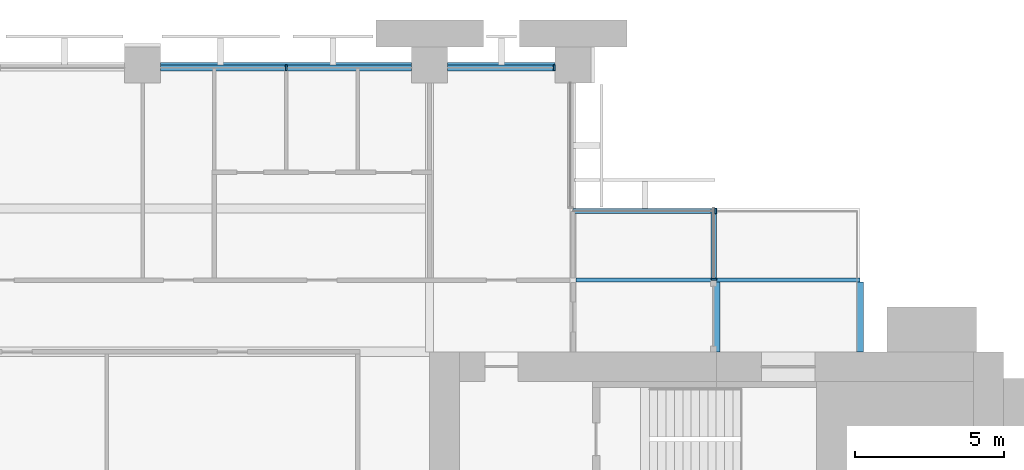
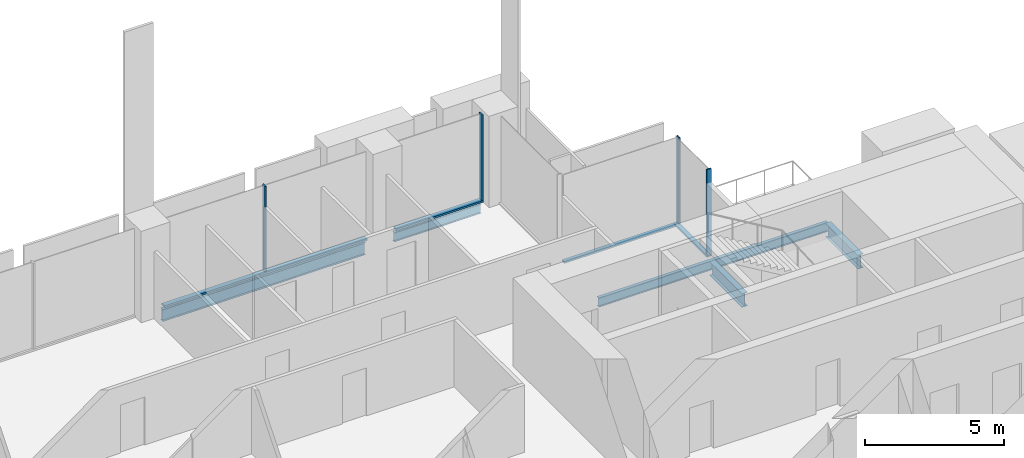
# One storey, part 7 of 14: 8 members, 5 beams, 3 elements without a shape of their own.
"""IFC4 building model written with IfcOpenShell, lengths in metres."""

from ifc_helpers import new_model, si_unit, direction, frame, origin, origin_2d, place, context, subcontext, project, spatial, rectangle, i_section, extrude, material, material_profile, profile_set, type_object, element, aggregate, save


model = new_model("IFC4")

# Units and contexts
model_context = context("Model", 3, precision=1e-05, world=origin(), true_north=direction((0.0, 1.0)))
body_context = subcontext(model_context, "Body", "Model", "MODEL_VIEW")
ifc_project = project(units=[si_unit("LENGTHUNIT", "METRE"), si_unit("AREAUNIT", "SQUARE_METRE"), si_unit("VOLUMEUNIT", "CUBIC_METRE"), si_unit("PLANEANGLEUNIT", "RADIAN"), si_unit("MASSUNIT", "GRAM", prefix="KILO")], contexts=[model_context])

# Site, building, storey
site_placement = place(None, origin())
site = spatial("IfcSite", under=ifc_project, at=site_placement, CompositionType="ELEMENT")
building_placement = place(site_placement, origin())
building = spatial("IfcBuilding", under=site, at=building_placement, Name="Baori Bourse Tower", CompositionType="ELEMENT")
storey_placement = place(building_placement, frame((0.0, 0.0, 144.10009765625)))
storey = spatial("IfcBuildingStorey", under=building, at=storey_placement, Name="L31", CompositionType="ELEMENT", Elevation=144.10009765625)

# Curtain wall, members
ifc_material_1 = material(Name="Pale anodised aluminium", Category="aluminium")
curtain_wall_type_1 = type_object("IfcCurtainWallType", Name="CW1 Curtain wall", PredefinedType="NOTDEFINED", material=ifc_material_1)
curtain_wall_1_placement = place(storey_placement, origin())
curtain_wall_1 = element("IfcCurtainWall", 1, at=curtain_wall_1_placement, inside=storey, type_object=curtain_wall_type_1, Name="Curtain wall CW1 L31 4", PredefinedType="NOTDEFINED")
ifc_material_2 = material(Name="Pale anodised aluminium", Category="aluminium")
ifc_material_profile_1 = material_profile(ifc_material_2, rectangle(XDim=0.199951171875, YDim=0.06005859375, at=origin_2d()), Name="Mullion 60x200")
ifc_profile_set_1 = profile_set([ifc_material_profile_1], Name="Pale anodised aluminium")
member_type_1 = type_object("IfcMemberType", Name="CW1 Curtain wall mullion", PredefinedType="MULLION", material=ifc_profile_set_1)
member_1_placement = place(storey_placement, frame((42.570068359375, 47.89990234375, 0.079833984375), z_axis=(0.0, 0.0, 1.0), x_axis=(0.0, -1.0, 0.0)))
member_1 = element("IfcMember", 2, at=member_1_placement, type_object=member_type_1, Name="Curtain wall CW1 mullion", PredefinedType="MULLION", context=body_context, shape_type="SweptSolid", body=[
    extrude(rectangle(XDim=0.199951171875, YDim=0.06005859375, at=origin_2d()), origin(), (0.0, 0.0, 1.0), 3.760009765625),
])
member_2_placement = place(storey_placement, frame((33.60009765625, 47.89990234375, 0.079833984375), z_axis=(0.0, 0.0, 1.0), x_axis=(0.0, -1.0, 0.0)))
member_2 = element("IfcMember", 3, at=member_2_placement, type_object=member_type_1, Name="Curtain wall CW1 mullion", PredefinedType="MULLION", context=body_context, shape_type="SweptSolid", body=[
    extrude(rectangle(XDim=0.199951171875, YDim=0.06005859375, at=origin_2d()), origin(), (0.0, 0.0, 1.0), 3.760009765625),
])
ifc_material_3 = material(Name="Pale anodised aluminium", Category="aluminium")
ifc_material_profile_2 = material_profile(ifc_material_3, rectangle(XDim=0.199951171875, YDim=0.080078125, at=origin_2d()), Name="Transom 80x200")
ifc_profile_set_2 = profile_set([ifc_material_profile_2], Name="Pale anodised aluminium")
member_type_2 = type_object("IfcMemberType", Name="CW1 Curtain wall transom", PredefinedType="USERDEFINED", material=ifc_profile_set_2)
member_3_placement = place(storey_placement, frame((42.60009765625, 47.89990234375, 0.039794921875), z_axis=(-1.0, 0.0, 0.0), x_axis=(0.0, -1.0, 0.0)))
member_3 = element("IfcMember", 4, at=member_3_placement, type_object=member_type_2, Name="Curtain wall CW1 sill rail", ObjectType="TRANSOM", PredefinedType="USERDEFINED", context=body_context, shape_type="SweptSolid", body=[
    extrude(rectangle(XDim=0.199951171875, YDim=0.080078125, at=origin_2d()), origin(), (0.0, 0.0, 1.0), 3.60009765625),
])
member_4_placement = place(storey_placement, frame((37.800048828125, 47.89990234375, 0.039794921875), z_axis=(-1.0, 0.0, 0.0), x_axis=(0.0, -1.0, 0.0)))
member_4 = element("IfcMember", 5, at=member_4_placement, type_object=member_type_2, Name="Curtain wall CW1 sill rail", ObjectType="TRANSOM", PredefinedType="USERDEFINED", context=body_context, shape_type="SweptSolid", body=[
    extrude(rectangle(XDim=0.199951171875, YDim=0.080078125, at=origin_2d()), origin(), (0.0, 0.0, 1.0), 8.400146484375),
])
aggregate(curtain_wall_1, [member_3, member_1, member_4, member_2])

# Curtain wall, member
ifc_material_4 = material(Name="Pale anodised aluminium", Category="aluminium")
curtain_wall_type_2 = type_object("IfcCurtainWallType", Name="CW2 Curtain wall", PredefinedType="NOTDEFINED", material=ifc_material_4)
curtain_wall_2_placement = place(storey_placement, origin())
curtain_wall_2 = element("IfcCurtainWall", 6, at=curtain_wall_2_placement, inside=storey, type_object=curtain_wall_type_2, Name="Curtain wall CW2 L31 1", PredefinedType="NOTDEFINED")
ifc_material_5 = material(Name="Pale anodised aluminium", Category="aluminium")
ifc_material_profile_3 = material_profile(ifc_material_5, rectangle(XDim=0.179931640625, YDim=0.054931640625, at=origin_2d()), Name="Mullion 55x180")
ifc_profile_set_3 = profile_set([ifc_material_profile_3], Name="Pale anodised aluminium")
member_type_3 = type_object("IfcMemberType", Name="CW2 Curtain wall mullion", PredefinedType="MULLION", material=ifc_profile_set_3)
member_5_placement = place(storey_placement, frame((47.909912109375, 40.827392578125, 0.06982421875), z_axis=(0.0, 0.0, 1.0), x_axis=(-1.0, 0.0, 0.0)))
member_5 = element("IfcMember", 7, at=member_5_placement, type_object=member_type_3, Name="Curtain wall CW2 mullion", PredefinedType="MULLION", context=body_context, shape_type="SweptSolid", body=[
    extrude(rectangle(XDim=0.179931640625, YDim=0.054931640625, at=origin_2d()), origin(), (0.0, 0.0, 1.0), 3.77001953125),
])

curtain_wall_3_placement = place(storey_placement, origin())
curtain_wall_3 = element("IfcCurtainWall", 8, at=curtain_wall_3_placement, inside=storey, type_object=curtain_wall_type_2, Name="Curtain wall CW2 L31 2", PredefinedType="NOTDEFINED")
member_6_placement = place(storey_placement, frame((47.972412109375, 43.110107421875, 0.06982421875), z_axis=(0.0, 0.0, 1.0), x_axis=(0.0, -1.0, 0.0)))
member_6 = element("IfcMember", 9, at=member_6_placement, type_object=member_type_3, Name="Curtain wall CW2 mullion", PredefinedType="MULLION", context=body_context, shape_type="SweptSolid", body=[
    extrude(rectangle(XDim=0.179931640625, YDim=0.054931640625, at=origin_2d()), origin(), (0.0, 0.0, 1.0), 3.77001953125),
])

# Member
ifc_material_6 = material(Name="Pale anodised aluminium", Category="aluminium")
ifc_material_profile_4 = material_profile(ifc_material_6, rectangle(XDim=0.179931640625, YDim=0.070068359375, at=origin_2d()), Name="Transom 70x180")
ifc_profile_set_4 = profile_set([ifc_material_profile_4], Name="Pale anodised aluminium")
member_type_4 = type_object("IfcMemberType", Name="CW2 Curtain wall transom", PredefinedType="USERDEFINED", material=ifc_profile_set_4)
member_7_placement = place(storey_placement, frame((47.909912109375, 40.800048828125, 0.034912109375), z_axis=(0.0, 1.0, 0.0), x_axis=(-1.0, 0.0, 0.0)))
member_7 = element("IfcMember", 10, at=member_7_placement, type_object=member_type_4, Name="Curtain wall CW2 sill rail", ObjectType="TRANSOM", PredefinedType="USERDEFINED", context=body_context, shape_type="SweptSolid", body=[
    extrude(rectangle(XDim=0.179931640625, YDim=0.070068359375, at=origin_2d()), origin(), (0.0, 0.0, 1.0), 2.39990234375),
])

aggregate(curtain_wall_2, [member_7, member_5])

member_8_placement = place(storey_placement, frame((48.0, 43.110107421875, 0.034912109375), z_axis=(-1.0, 0.0, 0.0), x_axis=(0.0, -1.0, 0.0)))
member_8 = element("IfcMember", 11, at=member_8_placement, type_object=member_type_4, Name="Curtain wall CW2 sill rail", ObjectType="TRANSOM", PredefinedType="USERDEFINED", context=body_context, shape_type="SweptSolid", body=[
    extrude(rectangle(XDim=0.179931640625, YDim=0.070068359375, at=origin_2d()), origin(), (0.0, 0.0, 1.0), 4.800048828125),
])

aggregate(curtain_wall_3, [member_8, member_6])

# Beams
ifc_material_7 = material(Name="Steel A992 Gr 50", Category="steel")
ifc_material_profile_5 = material_profile(ifc_material_7, i_section(OverallWidth=0.227783203125, OverallDepth=0.60205078125, WebThickness=0.010498046875, FlangeThickness=0.014892578125, at=origin_2d()), Name="W24x68")
ifc_profile_set_5 = profile_set([ifc_material_profile_5], Name="Steel A992 Gr 50")
beam_type_1 = type_object("IfcBeamType", Name="Core bracket W24x68", PredefinedType="BEAM", material=ifc_profile_set_5)
for number, where, z_axis, x_axis, name in (
    (12, (48.0, 38.39990234375, -0.461181640625), (0.0, 1.0, 0.0), (-1.0, 0.0, 0.0), "Core bracket L31"),
    (13, (52.800048828125, 38.39990234375, -0.461181640625), (0.0, 1.0, 0.0), (-1.0, 0.0, 0.0), "Core bracket L31"),
):
    element("IfcBeam", number, at=place(storey_placement, frame(where, z_axis=z_axis, x_axis=x_axis)), inside=storey, type_object=beam_type_1, Name=name, PredefinedType="BEAM", context=body_context, shape_type="SweptSolid", body=[
        extrude(i_section(OverallWidth=0.227783203125, OverallDepth=0.60205078125, WebThickness=0.010498046875, FlangeThickness=0.014892578125, at=origin_2d()), origin(), (0.0, 0.0, 1.0), 2.329833984375),
    ])
ifc_material_8 = material(Name="Steel A992 Gr 50", Category="steel")
ifc_material_profile_6 = material_profile(ifc_material_8, i_section(OverallWidth=0.140380859375, OverallDepth=0.40380859375, WebThickness=0.007080078125, FlangeThickness=0.01123046875, at=origin_2d()), Name="W16x31")
ifc_profile_set_6 = profile_set([ifc_material_profile_6], Name="Steel A992 Gr 50")
beam_type_2 = type_object("IfcBeamType", Name="Edge beam W16x31", PredefinedType="BEAM", material=ifc_profile_set_6)
beam_1_placement = place(storey_placement, frame((39.0, 48.0, -0.362060546875), z_axis=(1.0, 0.0, 0.0), x_axis=(0.0, 1.0, 0.0)))
element("IfcBeam", 14, at=beam_1_placement, inside=storey, type_object=beam_type_2, Name="Edge beam L31", PredefinedType="BEAM", context=body_context, shape_type="SweptSolid", body=[
    extrude(i_section(OverallWidth=0.140380859375, OverallDepth=0.40380859375, WebThickness=0.007080078125, FlangeThickness=0.01123046875, at=origin_2d()), origin(), (0.0, 0.0, 1.0), 3.60009765625),
])
ifc_material_9 = material(Name="Steel A992 Gr 50", Category="steel")
ifc_material_profile_7 = material_profile(ifc_material_9, i_section(OverallWidth=0.1650390625, OverallDepth=0.52587890625, WebThickness=0.0087890625, FlangeThickness=0.011474609375, at=origin_2d()), Name="W21x44")
ifc_profile_set_7 = profile_set([ifc_material_profile_7], Name="Steel A992 Gr 50")
beam_type_3 = type_object("IfcBeamType", Name="Edge beam W21x44", PredefinedType="BEAM", material=ifc_profile_set_7)
beam_2_placement = place(storey_placement, frame((29.39990234375, 48.0, -0.423095703125), z_axis=(1.0, 0.0, 0.0), x_axis=(0.0, 1.0, 0.0)))
element("IfcBeam", 15, at=beam_2_placement, inside=storey, type_object=beam_type_3, Name="Edge beam L31", PredefinedType="BEAM", context=body_context, shape_type="SweptSolid", body=[
    extrude(i_section(OverallWidth=0.1650390625, OverallDepth=0.52587890625, WebThickness=0.0087890625, FlangeThickness=0.011474609375, at=origin_2d()), origin(), (0.0, 0.0, 1.0), 8.400146484375),
])
ifc_material_10 = material(Name="Steel A992 Gr 50", Category="steel")
ifc_material_profile_8 = material_profile(ifc_material_10, i_section(OverallWidth=0.140380859375, OverallDepth=0.40380859375, WebThickness=0.007080078125, FlangeThickness=0.01123046875, at=origin_2d()), Name="W16x31")
ifc_profile_set_8 = profile_set([ifc_material_profile_8], Name="Steel A992 Gr 50")
beam_type_4 = type_object("IfcBeamType", Name="Trimmer beam W16x31", PredefinedType="BEAM", material=ifc_profile_set_8)
beam_3_placement = place(storey_placement, frame((43.30615234375, 40.800048828125, -0.362060546875), z_axis=(1.0, 0.0, 0.0), x_axis=(0.0, 1.0, 0.0)))
element("IfcBeam", 16, at=beam_3_placement, inside=storey, type_object=beam_type_4, Name="Trimmer beam L31", PredefinedType="BEAM", context=body_context, shape_type="SweptSolid", body=[
    extrude(i_section(OverallWidth=0.140380859375, OverallDepth=0.40380859375, WebThickness=0.007080078125, FlangeThickness=0.01123046875, at=origin_2d()), origin(), (0.0, 0.0, 1.0), 9.493896484375),
])

save(model, "model.ifc")
